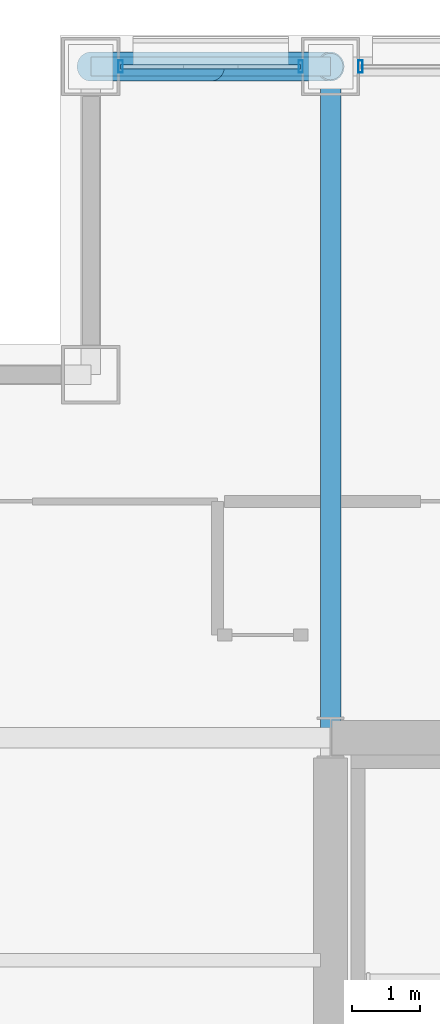
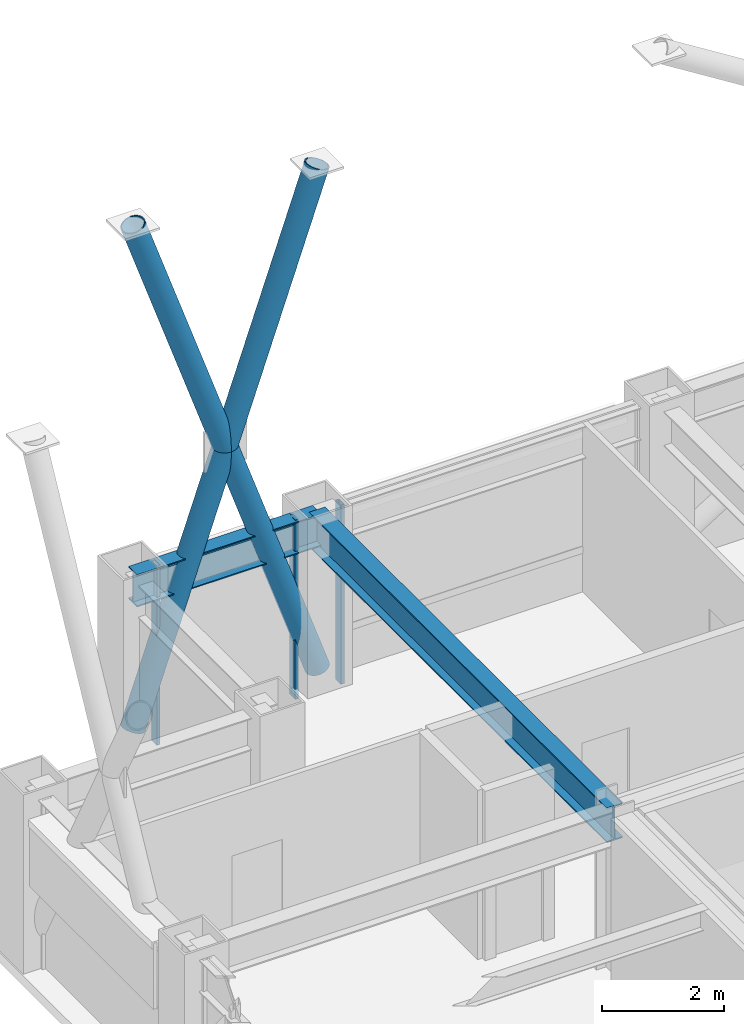
# One storey, part 18 of 32: 7 members, 2 beams, 2 elements without a shape of their own.
"""IFC4 building model written with IfcOpenShell, lengths in metres."""

from ifc_helpers import new_model, si_unit, direction, frame, origin, origin_2d, place, context, subcontext, project, spatial, hollow_rectangle, hollow_circle, i_section, extrude, material, layer, layer_set, material_profile, profile_set, type_object, element, aggregate, save


model = new_model("IFC4")

# Units and contexts
model_context = context("Model", 3, precision=1e-05, world=origin(), true_north=direction((0.0, 1.0)))
body_context = subcontext(model_context, "Body", "Model", "MODEL_VIEW")
ifc_project = project(units=[si_unit("LENGTHUNIT", "METRE"), si_unit("AREAUNIT", "SQUARE_METRE"), si_unit("VOLUMEUNIT", "CUBIC_METRE"), si_unit("PLANEANGLEUNIT", "RADIAN"), si_unit("MASSUNIT", "GRAM", prefix="KILO")], contexts=[model_context])

# Site, building, storey
site_placement = place(None, origin())
site = spatial("IfcSite", under=ifc_project, at=site_placement, CompositionType="ELEMENT")
building_placement = place(site_placement, origin())
building = spatial("IfcBuilding", under=site, at=building_placement, Name="Brelmoor Portico Tower", CompositionType="ELEMENT")
storey_placement = place(building_placement, frame((0.0, 0.0, 109.800048828125)))
storey = spatial("IfcBuildingStorey", under=building, at=storey_placement, Name="L28", CompositionType="ELEMENT", Elevation=109.800048828125)

# Beams
ifc_material_1 = material(Name="Steel Q355B", Category="steel")
ifc_material_profile_1 = material_profile(ifc_material_1, i_section(OverallWidth=0.300048828125, OverallDepth=0.699951171875, WebThickness=0.012939453125, FlangeThickness=0.02392578125, at=origin_2d()), Name="HN 700x300x13x24")
ifc_profile_set_1 = profile_set([ifc_material_profile_1], Name="Steel Q355B")
beam_type_1 = type_object("IfcBeamType", Name="BM-PG-700", PredefinedType="BEAM", material=ifc_profile_set_1)
beam_1_placement = place(storey_placement, frame((-14.550048828125, 9.75, 3.050048828125), z_axis=(0.0, 1.0, 0.0), x_axis=(-1.0, 0.0, 0.0)))
element("IfcBeam", 1, at=beam_1_placement, inside=storey, type_object=beam_type_1, Name="L28 Primary Floor Girder PG-04", PredefinedType="BEAM", context=body_context, shape_type="SweptSolid", body=[
    extrude(i_section(OverallWidth=0.300048828125, OverallDepth=0.699951171875, WebThickness=0.012939453125, FlangeThickness=0.02392578125, at=origin_2d()), origin(), (0.0, 0.0, 1.0), 9.800048828125),
])
ifc_material_profile_2 = material_profile(ifc_material_1, i_section(OverallWidth=0.280029296875, OverallDepth=0.64990234375, WebThickness=0.012939453125, FlangeThickness=0.02197265625, at=origin_2d()), Name="HN 650x280x13x22")
ifc_profile_set_2 = profile_set([ifc_material_profile_2], Name="Steel Q355B")
beam_type_2 = type_object("IfcBeamType", Name="BM-SP-650", PredefinedType="SPANDREL", material=ifc_profile_set_2)
beam_2_placement = place(storey_placement, frame((-18.050048828125, 19.550048828125, 3.074951171875), z_axis=(1.0, 0.0, 0.0), x_axis=(0.0, 1.0, 0.0)))
element("IfcBeam", 2, at=beam_2_placement, inside=storey, type_object=beam_type_2, Name="L28 Perimeter Spandrel Beam SP-10", PredefinedType="SPANDREL", context=body_context, shape_type="SweptSolid", body=[
    extrude(i_section(OverallWidth=0.280029296875, OverallDepth=0.64990234375, WebThickness=0.012939453125, FlangeThickness=0.02197265625, at=origin_2d()), origin(), (0.0, 0.0, 1.0), 3.5),
])

# Members
ifc_material_profile_3 = material_profile(ifc_material_1, hollow_circle(Radius=0.212890625, WallThickness=0.02001953125, at=origin_2d()), Name="CHS 426x20")
ifc_profile_set_3 = profile_set([ifc_material_profile_3], Name="Steel Q355B")
member_type_1 = type_object("IfcMemberType", Name="MB-BELT-DIAG1", PredefinedType="BRACE", material=ifc_profile_set_3)
member_1_placement = place(storey_placement, frame((-18.050048828125, 19.550048828125, 0.25), z_axis=(0.327436099292, 0.0, 0.944873325309), x_axis=(0.0, 1.0, 0.0)))
element("IfcMember", 3, at=member_1_placement, inside=storey, type_object=member_type_1, Name="L28 Continuous Mega-X Brace 058A", PredefinedType="BRACE", context=body_context, shape_type="SweptSolid", body=[
    extrude(hollow_circle(Radius=0.212890625, WallThickness=0.02001953125, at=origin_2d()), origin(), (0.0, 0.0, 1.0), 10.689208984375),
])
member_2_placement = place(storey_placement, frame((-14.550048828125, 19.550048828125, 0.25), z_axis=(-0.327429033028, 0.0, 0.94487577402), x_axis=(0.0, -1.0, 0.0)))
element("IfcMember", 4, at=member_2_placement, inside=storey, type_object=member_type_1, Name="L28 Split Mega-X Brace 058B1", PredefinedType="BRACE", context=body_context, shape_type="SweptSolid", body=[
    extrude(hollow_circle(Radius=0.212890625, WallThickness=0.02001953125, at=origin_2d()), origin(), (0.0, 0.0, 1.0), 5.3447265625),
])
member_3_placement = place(storey_placement, frame((-16.300048828125, 19.550048828125, 5.300048828125), z_axis=(-0.327443165844, 0.0, 0.944870876439), x_axis=(0.0, -1.0, 0.0)))
element("IfcMember", 5, at=member_3_placement, inside=storey, type_object=member_type_1, Name="L28 Split Mega-X Brace 058B2", PredefinedType="BRACE", context=body_context, shape_type="SweptSolid", body=[
    extrude(hollow_circle(Radius=0.212890625, WallThickness=0.02001953125, at=origin_2d()), origin(), (0.0, 0.0, 1.0), 5.344482421875),
])

# Curtain wall, members
ifc_material_2 = material(Name="Anodised Aluminium Alloy 6063-T6", Category="aluminium")
ifc_layer_1 = layer(ifc_material_2, 0.179931640625)
ifc_layer_set_1 = layer_set([ifc_layer_1], Name="Anodised Aluminium Alloy 6063-T6")
curtain_wall_type_1 = type_object("IfcCurtainWallType", Name="CW-TOWER-Z2-XB", PredefinedType="NOTDEFINED", material=ifc_layer_set_1)
curtain_wall_1_placement = place(storey_placement, origin())
curtain_wall_1 = element("IfcCurtainWall", 6, at=curtain_wall_1_placement, inside=storey, type_object=curtain_wall_type_1, Name="L28 Curtain Wall CW-L28-02-1", PredefinedType="NOTDEFINED")
ifc_material_profile_4 = material_profile(ifc_material_2, hollow_rectangle(XDim=0.06494140625, YDim=0.179931640625, WallThickness=0.00390625, at=origin_2d()), Name="ALU MULLION 65x180")
ifc_profile_set_4 = profile_set([ifc_material_profile_4], Name="Anodised Aluminium Alloy 6063-T6")
member_type_2 = type_object("IfcMemberType", Name="MB-CW-MULL-180", PredefinedType="MULLION", material=ifc_profile_set_4)
member_4_placement = place(storey_placement, frame((-17.614990234375, 19.550048828125, -0.199951171875), z_axis=(0.0, 0.0, 1.0), x_axis=(1.0, 0.0, 0.0)))
member_4 = element("IfcMember", 7, at=member_4_placement, type_object=member_type_2, Name="CW-L28-02-1 Mullion 00", PredefinedType="MULLION", context=body_context, shape_type="SweptSolid", body=[
    extrude(hollow_rectangle(XDim=0.06494140625, YDim=0.179931640625, WallThickness=0.00390625, at=origin_2d()), origin(), (0.0, 0.0, 1.0), 3.599853515625),
])
member_5_placement = place(storey_placement, frame((-14.985107421875, 19.550048828125, -0.199951171875), z_axis=(0.0, 0.0, 1.0), x_axis=(1.0, 0.0, 0.0)))
member_5 = element("IfcMember", 8, at=member_5_placement, type_object=member_type_2, Name="CW-L28-02-1 Mullion 01", PredefinedType="MULLION", context=body_context, shape_type="SweptSolid", body=[
    extrude(hollow_rectangle(XDim=0.06494140625, YDim=0.179931640625, WallThickness=0.00390625, at=origin_2d()), origin(), (0.0, 0.0, 1.0), 3.599853515625),
])

# Curtain wall, member
ifc_layer_2 = layer(ifc_material_2, 0.179931640625)
ifc_layer_set_2 = layer_set([ifc_layer_2], Name="Anodised Aluminium Alloy 6063-T6")
curtain_wall_type_2 = type_object("IfcCurtainWallType", Name="CW-TOWER-Z2", PredefinedType="NOTDEFINED", material=ifc_layer_set_2)
curtain_wall_2_placement = place(storey_placement, origin())
curtain_wall_2 = element("IfcCurtainWall", 9, at=curtain_wall_2_placement, inside=storey, type_object=curtain_wall_type_2, Name="L28 Curtain Wall CW-L28-02-2", PredefinedType="NOTDEFINED")
member_6_placement = place(storey_placement, frame((-14.114990234375, 19.550048828125, -0.199951171875), z_axis=(0.0, 0.0, 1.0), x_axis=(1.0, 0.0, 0.0)))
member_6 = element("IfcMember", 10, at=member_6_placement, type_object=member_type_2, Name="CW-L28-02-2 Mullion 00", PredefinedType="MULLION", context=body_context, shape_type="SweptSolid", body=[
    extrude(hollow_rectangle(XDim=0.06494140625, YDim=0.179931640625, WallThickness=0.00390625, at=origin_2d()), origin(), (0.0, 0.0, 1.0), 3.599853515625),
])
aggregate(curtain_wall_2, [member_6])

# Member
ifc_material_profile_5 = material_profile(ifc_material_2, hollow_rectangle(XDim=0.06494140625, YDim=0.139892578125, WallThickness=0.00390625, at=origin_2d()), Name="ALU TRANSOM 65x140")
ifc_profile_set_5 = profile_set([ifc_material_profile_5], Name="Anodised Aluminium Alloy 6063-T6")
member_type_3 = type_object("IfcMemberType", Name="MB-CW-TRAN-140", PredefinedType="USERDEFINED", material=ifc_profile_set_5)
member_7_placement = place(storey_placement, frame((-17.614990234375, 19.550048828125, 3.329833984375), z_axis=(1.0, 0.0, 0.0), x_axis=(0.0, 1.0, 0.0)))
member_7 = element("IfcMember", 11, at=member_7_placement, type_object=member_type_3, Name="CW-L28-02-1 Transom 1-00", ObjectType="TRANSOM", PredefinedType="USERDEFINED", context=body_context, shape_type="SweptSolid", body=[
    extrude(hollow_rectangle(XDim=0.06494140625, YDim=0.139892578125, WallThickness=0.00390625, at=origin_2d()), origin(), (0.0, 0.0, 1.0), 2.6298828125),
])

aggregate(curtain_wall_1, [member_4, member_5, member_7])

save(model, "model.ifc")
